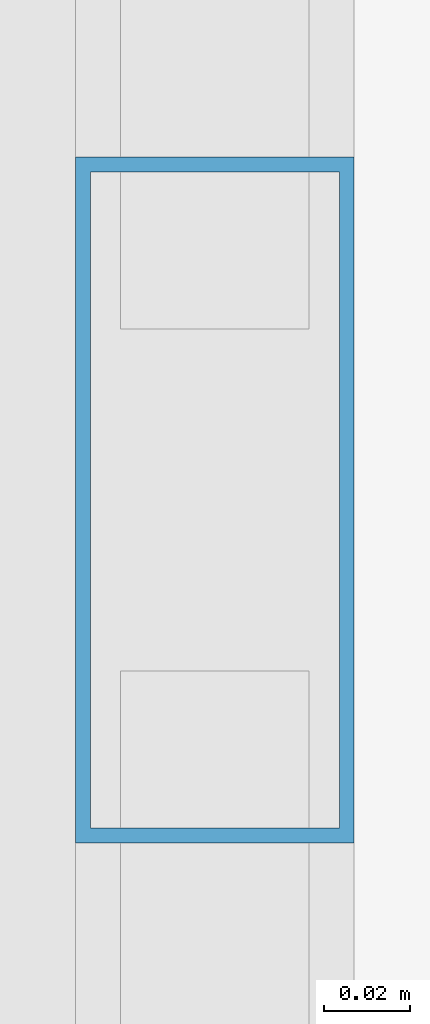
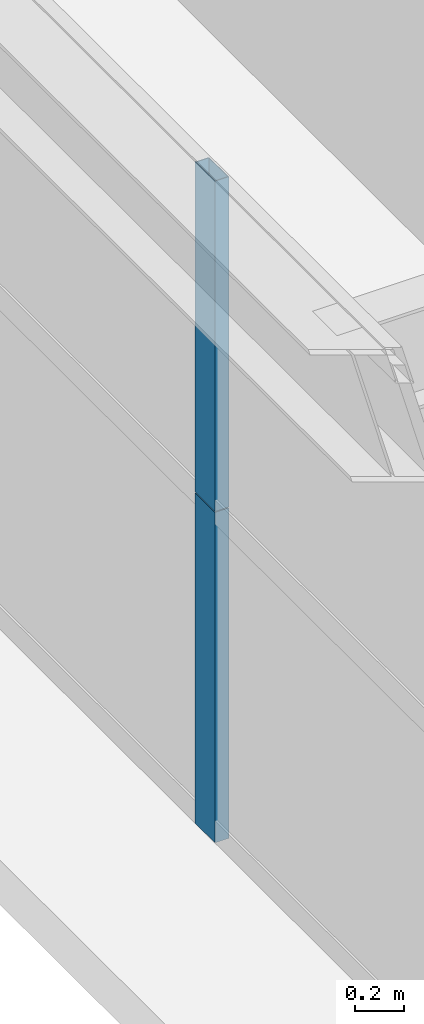
# One storey, part 14 of 38: 2 members, 1 element without a shape of its own.
"""IFC4 building model written with IfcOpenShell, lengths in metres."""

from ifc_helpers import new_model, si_unit, direction, frame, origin, origin_2d, place, context, subcontext, project, spatial, hollow_rectangle, extrude, source, transform, mapped, material, layer, layer_set, material_profile, profile_set, type_object, element, aggregate, save


model = new_model("IFC4")

# Units and contexts
model_context = context("Model", 3, precision=1e-05, world=origin(), true_north=direction((0.0, 1.0)))
body_context = subcontext(model_context, "Body", "Model", "MODEL_VIEW")
ifc_project = project(units=[si_unit("LENGTHUNIT", "METRE"), si_unit("AREAUNIT", "SQUARE_METRE"), si_unit("VOLUMEUNIT", "CUBIC_METRE"), si_unit("PLANEANGLEUNIT", "RADIAN"), si_unit("MASSUNIT", "GRAM", prefix="KILO"), si_unit("THERMODYNAMICTEMPERATUREUNIT", "KELVIN"), si_unit("POWERUNIT", "WATT")], contexts=[model_context])

# Site, building, storey
site_placement = place(None, origin())
site = spatial("IfcSite", under=ifc_project, at=site_placement, CompositionType="ELEMENT")
building_placement = place(site_placement, origin())
building = spatial("IfcBuilding", under=site, at=building_placement, Name="Yuzanri Waterfront Tower", CompositionType="ELEMENT")
storey_placement = place(building_placement, frame((0.0, 0.0, 181.0)))
storey = spatial("IfcBuildingStorey", under=building, at=storey_placement, Name="L47", CompositionType="ELEMENT", Elevation=181.0)

# Curtain wall, members
ifc_material_1 = material(Name="Anodized Architectural Bronze", Category="metal")
ifc_layer = layer(ifc_material_1, 0.159912109375)
ifc_layer_set = layer_set([ifc_layer], Name="Anodized Architectural Bronze")
curtain_wall_type = type_object("IfcCurtainWallType", Name="Anodized Bronze Mid-Rise Residential Acoustic Unitized Curtain Wall 7200", PredefinedType="NOTDEFINED", material=ifc_layer_set)
curtain_wall_placement = place(storey_placement, origin())
curtain_wall = element("IfcCurtainWall", 1, at=curtain_wall_placement, inside=storey, type_object=curtain_wall_type, Name="L47 Curtain Wall CW-L47-WR", PredefinedType="NOTDEFINED")
ifc_material_2 = material(Name="Anodized Architectural Bronze", Category="metal")
ifc_material_profile = material_profile(ifc_material_2, hollow_rectangle(XDim=0.06494140625, YDim=0.159912109375, WallThickness=0.00341796875, at=origin_2d()), Name="CWM 65x160")
ifc_profile_set = profile_set([ifc_material_profile], Name="Anodized Architectural Bronze")
member_type = type_object("IfcMemberType", Name="Anodized Bronze Upper-Zone Curtain-Wall Mullion 65x160", PredefinedType="MULLION", material=ifc_profile_set)
shared_shape = source(origin(), body_context, "Body", "SweptSolid", [
    extrude(hollow_rectangle(XDim=0.06494140625, YDim=0.159912109375, WallThickness=0.00341796875, at=origin_2d()), origin(), (0.0, 0.0, 1.0), 1.637939453125),
])
member_1_placement = place(storey_placement, frame((15.050048828125, 33.375, 0.0), z_axis=(0.0, 0.0, 1.0), x_axis=(1.0, 0.0, 0.0)))
member_1 = element("IfcMember", 2, at=member_1_placement, type_object=member_type, Name="CW-L47-WR Lower Mullion 01", PredefinedType="MULLION", context=body_context, shape_type="MappedRepresentation", body=[
    mapped(shared_shape, transform((0.0, 0.0, 0.0), scale=1.0)),
])
member_2_placement = place(storey_placement, frame((15.050048828125, 33.375, 1.64208984375), z_axis=(0.0, 0.0, 1.0), x_axis=(1.0, 0.0, 0.0)))
member_2 = element("IfcMember", 3, at=member_2_placement, type_object=member_type, Name="CW-L47-WR Upper Mullion 01", PredefinedType="MULLION", context=body_context, shape_type="MappedRepresentation", body=[
    mapped(shared_shape, transform((0.0, 0.0, 0.0), scale=1.0)),
])
aggregate(curtain_wall, [member_1, member_2])

save(model, "model.ifc")
